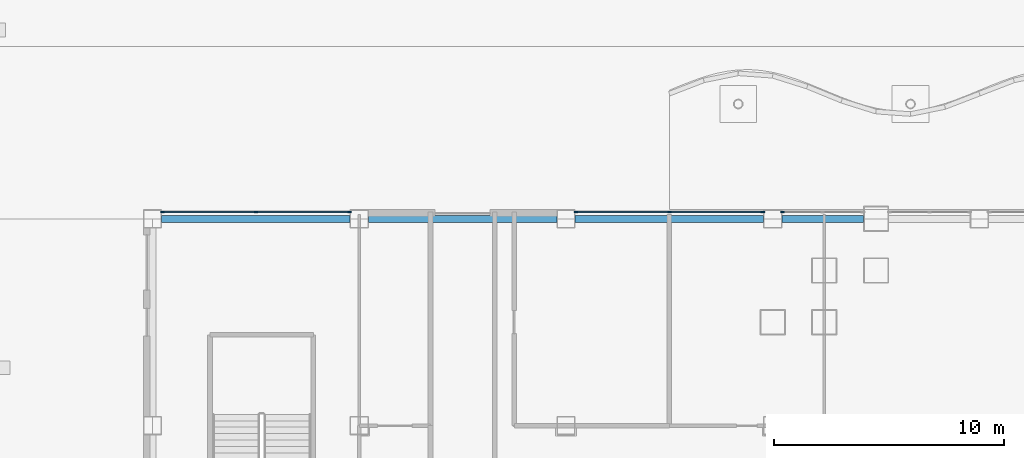
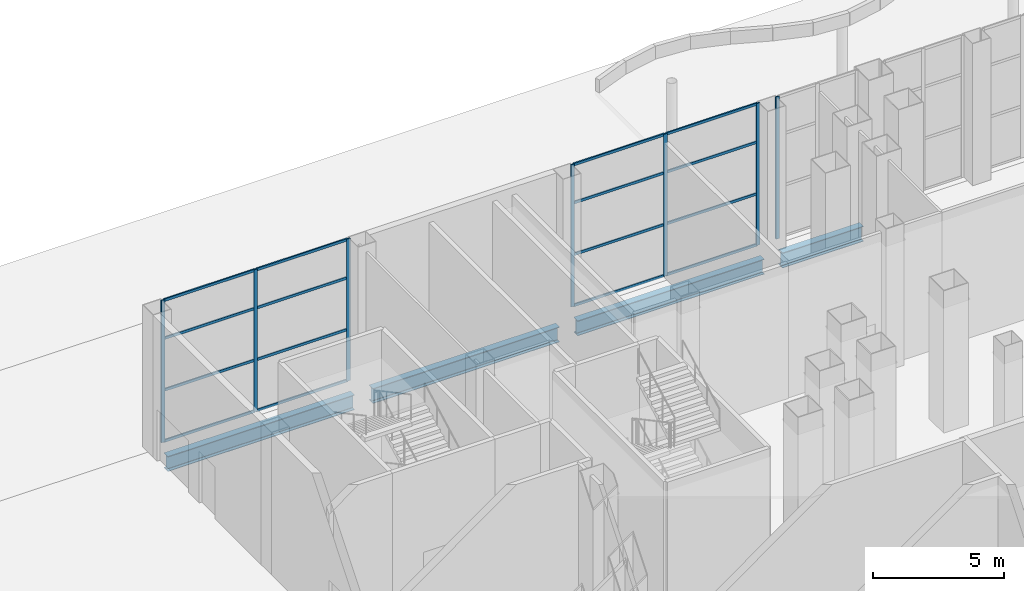
# One storey, part 8 of 38: 23 members, 4 beams, 3 elements without a shape of their own.
"""IFC4 building model written with IfcOpenShell, lengths in metres."""

from ifc_helpers import new_model, si_unit, direction, frame, origin, origin_2d, place, context, subcontext, project, spatial, rectangle, i_section, extrude, material, layer, layer_set, material_profile, profile_set, type_object, element, aggregate, save


model = new_model("IFC4")

# Units and contexts
model_context = context("Model", 3, precision=1e-05, world=origin(), true_north=direction((0.0, 1.0)))
body_context = subcontext(model_context, "Body", "Model", "MODEL_VIEW")
ifc_project = project(units=[si_unit("LENGTHUNIT", "METRE"), si_unit("AREAUNIT", "SQUARE_METRE"), si_unit("VOLUMEUNIT", "CUBIC_METRE"), si_unit("PLANEANGLEUNIT", "RADIAN"), si_unit("MASSUNIT", "GRAM", prefix="KILO")], contexts=[model_context])

# Site, building, storey
site_placement = place(None, origin())
site = spatial("IfcSite", under=ifc_project, at=site_placement, CompositionType="ELEMENT")
building_placement = place(site_placement, origin())
building = spatial("IfcBuilding", under=site, at=building_placement, Name="Caravel Reach Hotel and Residences", CompositionType="ELEMENT")
storey_placement = place(building_placement, origin())
storey = spatial("IfcBuildingStorey", under=building, at=storey_placement, Name="L00", CompositionType="ELEMENT", Elevation=0.0)

# Curtain wall, member
ifc_material_1 = material(Name="Dark low-e glazing in black aluminium frame", Category="aluminium")
ifc_layer = layer(ifc_material_1, 0.199951171875)
ifc_layer_set = layer_set([ifc_layer], Name="CW1 Podium storefront")
curtain_wall_type = type_object("IfcCurtainWallType", Name="CW1 Podium storefront", PredefinedType="NOTDEFINED", material=ifc_layer_set)
curtain_wall_1_placement = place(storey_placement, origin())
curtain_wall_1 = element("IfcCurtainWall", 1, at=curtain_wall_1_placement, inside=storey, type_object=curtain_wall_type, Name="Podium storefront b6", PredefinedType="NOTDEFINED")
ifc_material_2 = material(Name="Anodised aluminium alloy 6063-T5, black", Category="aluminium")
ifc_material_profile_1 = material_profile(ifc_material_2, rectangle(XDim=0.06005859375, YDim=0.159912109375, at=origin_2d()), Name="CW mullion 60 x 160")
ifc_profile_set_1 = profile_set([ifc_material_profile_1], Name="Anodised aluminium alloy 6063-T5, black")
member_type_1 = type_object("IfcMemberType", Name="CW mullion 60 x 160", PredefinedType="MULLION", material=ifc_profile_set_1)
member_1_placement = place(storey_placement, frame((22.929931640625, 54.300048828125, 0.0), z_axis=(0.0, 0.0, 1.0), x_axis=(0.0, -1.0, 0.0)))
member_1 = element("IfcMember", 2, at=member_1_placement, type_object=member_type_1, Name="CW1 mullion 3", PredefinedType="MULLION", context=body_context, shape_type="SweptSolid", body=[
    extrude(rectangle(XDim=0.06005859375, YDim=0.159912109375, at=origin_2d()), origin(), (0.0, 0.0, 1.0), 6.60009765625),
])
aggregate(curtain_wall_1, [member_1])

# Curtain wall, members
curtain_wall_2_placement = place(storey_placement, origin())
curtain_wall_2 = element("IfcCurtainWall", 3, at=curtain_wall_2_placement, inside=storey, type_object=curtain_wall_type, Name="Podium storefront b7", PredefinedType="NOTDEFINED")
member_2_placement = place(storey_placement, frame((22.070068359375, 54.300048828125, 0.0), z_axis=(0.0, 0.0, 1.0), x_axis=(0.0, -1.0, 0.0)))
member_2 = element("IfcMember", 4, at=member_2_placement, type_object=member_type_1, Name="CW1 mullion 1", PredefinedType="MULLION", context=body_context, shape_type="SweptSolid", body=[
    extrude(rectangle(XDim=0.06005859375, YDim=0.159912109375, at=origin_2d()), origin(), (0.0, 0.0, 1.0), 6.60009765625),
])
member_3_placement = place(storey_placement, frame((18.0, 54.300048828125, 0.0), z_axis=(0.0, 0.0, 1.0), x_axis=(0.0, -1.0, 0.0)))
member_3 = element("IfcMember", 5, at=member_3_placement, type_object=member_type_1, Name="CW1 mullion 2", PredefinedType="MULLION", context=body_context, shape_type="SweptSolid", body=[
    extrude(rectangle(XDim=0.06005859375, YDim=0.159912109375, at=origin_2d()), origin(), (0.0, 0.0, 1.0), 6.60009765625),
])
member_4_placement = place(storey_placement, frame((13.929931640625, 54.300048828125, 0.0), z_axis=(0.0, 0.0, 1.0), x_axis=(0.0, -1.0, 0.0)))
member_4 = element("IfcMember", 6, at=member_4_placement, type_object=member_type_1, Name="CW1 mullion 3", PredefinedType="MULLION", context=body_context, shape_type="SweptSolid", body=[
    extrude(rectangle(XDim=0.06005859375, YDim=0.159912109375, at=origin_2d()), origin(), (0.0, 0.0, 1.0), 6.60009765625),
])

curtain_wall_3_placement = place(storey_placement, origin())
curtain_wall_3 = element("IfcCurtainWall", 7, at=curtain_wall_3_placement, inside=storey, type_object=curtain_wall_type, Name="Podium storefront b9", PredefinedType="NOTDEFINED")
member_5_placement = place(storey_placement, frame((4.070068359375, 54.300048828125, 0.0), z_axis=(0.0, 0.0, 1.0), x_axis=(0.0, -1.0, 0.0)))
member_5 = element("IfcMember", 8, at=member_5_placement, type_object=member_type_1, Name="CW1 mullion 1", PredefinedType="MULLION", context=body_context, shape_type="SweptSolid", body=[
    extrude(rectangle(XDim=0.06005859375, YDim=0.159912109375, at=origin_2d()), origin(), (0.0, 0.0, 1.0), 6.60009765625),
])
member_6_placement = place(storey_placement, frame((0.0, 54.300048828125, 0.0), z_axis=(0.0, 0.0, 1.0), x_axis=(0.0, -1.0, 0.0)))
member_6 = element("IfcMember", 9, at=member_6_placement, type_object=member_type_1, Name="CW1 mullion 2", PredefinedType="MULLION", context=body_context, shape_type="SweptSolid", body=[
    extrude(rectangle(XDim=0.06005859375, YDim=0.159912109375, at=origin_2d()), origin(), (0.0, 0.0, 1.0), 6.60009765625),
])
member_7_placement = place(storey_placement, frame((-4.070068359375, 54.300048828125, 0.0), z_axis=(0.0, 0.0, 1.0), x_axis=(0.0, -1.0, 0.0)))
member_7 = element("IfcMember", 10, at=member_7_placement, type_object=member_type_1, Name="CW1 mullion 3", PredefinedType="MULLION", context=body_context, shape_type="SweptSolid", body=[
    extrude(rectangle(XDim=0.06005859375, YDim=0.159912109375, at=origin_2d()), origin(), (0.0, 0.0, 1.0), 6.60009765625),
])

# Member
ifc_material_3 = material(Name="Anodised aluminium alloy 6063-T5, black", Category="aluminium")
ifc_material_profile_2 = material_profile(ifc_material_3, rectangle(XDim=0.06005859375, YDim=0.1201171875, at=origin_2d()), Name="CW transom 60 x 120")
ifc_profile_set_2 = profile_set([ifc_material_profile_2], Name="Anodised aluminium alloy 6063-T5, black")
member_type_2 = type_object("IfcMemberType", Name="CW transom 60 x 120", PredefinedType="USERDEFINED", material=ifc_profile_set_2)
member_8_placement = place(storey_placement, frame((22.0400390625, 54.300048828125, 0.030029296875), z_axis=(-1.0, 0.0, 0.0), x_axis=(0.0, -1.0, 0.0)))
member_8 = element("IfcMember", 11, at=member_8_placement, type_object=member_type_2, Name="CW1 transom 1.1", ObjectType="TRANSOM", PredefinedType="USERDEFINED", context=body_context, shape_type="SweptSolid", body=[
    extrude(rectangle(XDim=0.06005859375, YDim=0.1201171875, at=origin_2d()), origin(), (0.0, 0.0, 1.0), 4.010009765625),
])

member_9_placement = place(storey_placement, frame((22.0400390625, 54.300048828125, 2.39990234375), z_axis=(-1.0, 0.0, 0.0), x_axis=(0.0, -1.0, 0.0)))
member_9 = element("IfcMember", 12, at=member_9_placement, type_object=member_type_2, Name="CW1 transom 1.2", ObjectType="TRANSOM", PredefinedType="USERDEFINED", context=body_context, shape_type="SweptSolid", body=[
    extrude(rectangle(XDim=0.06005859375, YDim=0.1201171875, at=origin_2d()), origin(), (0.0, 0.0, 1.0), 4.010009765625),
])

member_10_placement = place(storey_placement, frame((22.0400390625, 54.300048828125, 4.800048828125), z_axis=(-1.0, 0.0, 0.0), x_axis=(0.0, -1.0, 0.0)))
member_10 = element("IfcMember", 13, at=member_10_placement, type_object=member_type_2, Name="CW1 transom 1.3", ObjectType="TRANSOM", PredefinedType="USERDEFINED", context=body_context, shape_type="SweptSolid", body=[
    extrude(rectangle(XDim=0.06005859375, YDim=0.1201171875, at=origin_2d()), origin(), (0.0, 0.0, 1.0), 4.010009765625),
])

member_11_placement = place(storey_placement, frame((22.0400390625, 54.300048828125, 6.570068359375), z_axis=(-1.0, 0.0, 0.0), x_axis=(0.0, -1.0, 0.0)))
member_11 = element("IfcMember", 14, at=member_11_placement, type_object=member_type_2, Name="CW1 transom 1.4", ObjectType="TRANSOM", PredefinedType="USERDEFINED", context=body_context, shape_type="SweptSolid", body=[
    extrude(rectangle(XDim=0.06005859375, YDim=0.1201171875, at=origin_2d()), origin(), (0.0, 0.0, 1.0), 4.010009765625),
])

member_12_placement = place(storey_placement, frame((17.969970703125, 54.300048828125, 0.030029296875), z_axis=(-1.0, 0.0, 0.0), x_axis=(0.0, -1.0, 0.0)))
member_12 = element("IfcMember", 15, at=member_12_placement, type_object=member_type_2, Name="CW1 transom 2.1", ObjectType="TRANSOM", PredefinedType="USERDEFINED", context=body_context, shape_type="SweptSolid", body=[
    extrude(rectangle(XDim=0.06005859375, YDim=0.1201171875, at=origin_2d()), origin(), (0.0, 0.0, 1.0), 4.010009765625),
])

member_13_placement = place(storey_placement, frame((17.969970703125, 54.300048828125, 2.39990234375), z_axis=(-1.0, 0.0, 0.0), x_axis=(0.0, -1.0, 0.0)))
member_13 = element("IfcMember", 16, at=member_13_placement, type_object=member_type_2, Name="CW1 transom 2.2", ObjectType="TRANSOM", PredefinedType="USERDEFINED", context=body_context, shape_type="SweptSolid", body=[
    extrude(rectangle(XDim=0.06005859375, YDim=0.1201171875, at=origin_2d()), origin(), (0.0, 0.0, 1.0), 4.010009765625),
])

member_14_placement = place(storey_placement, frame((17.969970703125, 54.300048828125, 4.800048828125), z_axis=(-1.0, 0.0, 0.0), x_axis=(0.0, -1.0, 0.0)))
member_14 = element("IfcMember", 17, at=member_14_placement, type_object=member_type_2, Name="CW1 transom 2.3", ObjectType="TRANSOM", PredefinedType="USERDEFINED", context=body_context, shape_type="SweptSolid", body=[
    extrude(rectangle(XDim=0.06005859375, YDim=0.1201171875, at=origin_2d()), origin(), (0.0, 0.0, 1.0), 4.010009765625),
])

member_15_placement = place(storey_placement, frame((17.969970703125, 54.300048828125, 6.570068359375), z_axis=(-1.0, 0.0, 0.0), x_axis=(0.0, -1.0, 0.0)))
member_15 = element("IfcMember", 18, at=member_15_placement, type_object=member_type_2, Name="CW1 transom 2.4", ObjectType="TRANSOM", PredefinedType="USERDEFINED", context=body_context, shape_type="SweptSolid", body=[
    extrude(rectangle(XDim=0.06005859375, YDim=0.1201171875, at=origin_2d()), origin(), (0.0, 0.0, 1.0), 4.010009765625),
])

aggregate(curtain_wall_2, [member_2, member_3, member_4, member_8, member_9, member_10, member_11, member_12, member_13, member_14, member_15])

member_16_placement = place(storey_placement, frame((4.0400390625, 54.300048828125, 0.030029296875), z_axis=(-1.0, 0.0, 0.0), x_axis=(0.0, -1.0, 0.0)))
member_16 = element("IfcMember", 19, at=member_16_placement, type_object=member_type_2, Name="CW1 transom 1.1", ObjectType="TRANSOM", PredefinedType="USERDEFINED", context=body_context, shape_type="SweptSolid", body=[
    extrude(rectangle(XDim=0.06005859375, YDim=0.1201171875, at=origin_2d()), origin(), (0.0, 0.0, 1.0), 4.010009765625),
])

member_17_placement = place(storey_placement, frame((4.0400390625, 54.300048828125, 2.39990234375), z_axis=(-1.0, 0.0, 0.0), x_axis=(0.0, -1.0, 0.0)))
member_17 = element("IfcMember", 20, at=member_17_placement, type_object=member_type_2, Name="CW1 transom 1.2", ObjectType="TRANSOM", PredefinedType="USERDEFINED", context=body_context, shape_type="SweptSolid", body=[
    extrude(rectangle(XDim=0.06005859375, YDim=0.1201171875, at=origin_2d()), origin(), (0.0, 0.0, 1.0), 4.010009765625),
])

member_18_placement = place(storey_placement, frame((4.0400390625, 54.300048828125, 4.800048828125), z_axis=(-1.0, 0.0, 0.0), x_axis=(0.0, -1.0, 0.0)))
member_18 = element("IfcMember", 21, at=member_18_placement, type_object=member_type_2, Name="CW1 transom 1.3", ObjectType="TRANSOM", PredefinedType="USERDEFINED", context=body_context, shape_type="SweptSolid", body=[
    extrude(rectangle(XDim=0.06005859375, YDim=0.1201171875, at=origin_2d()), origin(), (0.0, 0.0, 1.0), 4.010009765625),
])

member_19_placement = place(storey_placement, frame((4.0400390625, 54.300048828125, 6.570068359375), z_axis=(-1.0, 0.0, 0.0), x_axis=(0.0, -1.0, 0.0)))
member_19 = element("IfcMember", 22, at=member_19_placement, type_object=member_type_2, Name="CW1 transom 1.4", ObjectType="TRANSOM", PredefinedType="USERDEFINED", context=body_context, shape_type="SweptSolid", body=[
    extrude(rectangle(XDim=0.06005859375, YDim=0.1201171875, at=origin_2d()), origin(), (0.0, 0.0, 1.0), 4.010009765625),
])

member_20_placement = place(storey_placement, frame((-0.030029296875, 54.300048828125, 0.030029296875), z_axis=(-1.0, 0.0, 0.0), x_axis=(0.0, -1.0, 0.0)))
member_20 = element("IfcMember", 23, at=member_20_placement, type_object=member_type_2, Name="CW1 transom 2.1", ObjectType="TRANSOM", PredefinedType="USERDEFINED", context=body_context, shape_type="SweptSolid", body=[
    extrude(rectangle(XDim=0.06005859375, YDim=0.1201171875, at=origin_2d()), origin(), (0.0, 0.0, 1.0), 4.010009765625),
])

member_21_placement = place(storey_placement, frame((-0.030029296875, 54.300048828125, 2.39990234375), z_axis=(-1.0, 0.0, 0.0), x_axis=(0.0, -1.0, 0.0)))
member_21 = element("IfcMember", 24, at=member_21_placement, type_object=member_type_2, Name="CW1 transom 2.2", ObjectType="TRANSOM", PredefinedType="USERDEFINED", context=body_context, shape_type="SweptSolid", body=[
    extrude(rectangle(XDim=0.06005859375, YDim=0.1201171875, at=origin_2d()), origin(), (0.0, 0.0, 1.0), 4.010009765625),
])

member_22_placement = place(storey_placement, frame((-0.030029296875, 54.300048828125, 4.800048828125), z_axis=(-1.0, 0.0, 0.0), x_axis=(0.0, -1.0, 0.0)))
member_22 = element("IfcMember", 25, at=member_22_placement, type_object=member_type_2, Name="CW1 transom 2.3", ObjectType="TRANSOM", PredefinedType="USERDEFINED", context=body_context, shape_type="SweptSolid", body=[
    extrude(rectangle(XDim=0.06005859375, YDim=0.1201171875, at=origin_2d()), origin(), (0.0, 0.0, 1.0), 4.010009765625),
])

member_23_placement = place(storey_placement, frame((-0.030029296875, 54.300048828125, 6.570068359375), z_axis=(-1.0, 0.0, 0.0), x_axis=(0.0, -1.0, 0.0)))
member_23 = element("IfcMember", 26, at=member_23_placement, type_object=member_type_2, Name="CW1 transom 2.4", ObjectType="TRANSOM", PredefinedType="USERDEFINED", context=body_context, shape_type="SweptSolid", body=[
    extrude(rectangle(XDim=0.06005859375, YDim=0.1201171875, at=origin_2d()), origin(), (0.0, 0.0, 1.0), 4.010009765625),
])

aggregate(curtain_wall_3, [member_5, member_6, member_7, member_16, member_17, member_18, member_19, member_20, member_21, member_22, member_23])

# Beams
ifc_material_4 = material(Name="Structural steel Q355B", Category="steel")
ifc_material_profile_3 = material_profile(ifc_material_4, i_section(OverallWidth=0.300048828125, OverallDepth=0.699951171875, WebThickness=0.012939453125, FlangeThickness=0.02392578125, FilletRadius=0.01806640625, at=origin_2d()), Name="HN 700x300x13x24")
ifc_profile_set_3 = profile_set([ifc_material_profile_3], Name="Structural steel Q355B")
beam_type = type_object("IfcBeamType", Name="Spandrel beam HN 700x300x13x24", PredefinedType="SPANDREL", material=ifc_profile_set_3)
beam_placement = place(storey_placement, frame((26.449951171875, 54.0, -0.75), z_axis=(-1.0, 0.0, 0.0), x_axis=(0.0, -1.0, 0.0)))
element("IfcBeam", 27, at=beam_placement, inside=storey, type_object=beam_type, Name="SP2 HN 700x300x13x24", PredefinedType="SPANDREL", context=body_context, shape_type="SweptSolid", body=[
    extrude(i_section(OverallWidth=0.300048828125, OverallDepth=0.699951171875, WebThickness=0.012939453125, FlangeThickness=0.02392578125, FilletRadius=0.01806640625, at=origin_2d()), origin(), (0.0, 0.0, 1.0), 3.550048828125),
])
for number, where, z_axis, x_axis, name in (
    (28, (22.10009765625, 54.0, -0.75), (-1.0, 0.0, 0.0), (0.0, -1.0, 0.0), "SP2 HN 700x300x13x24"),
    (29, (13.10009765625, 54.0, -0.75), (-1.0, 0.0, 0.0), (0.0, -1.0, 0.0), "SP2 HN 700x300x13x24"),
    (30, (4.10009765625, 54.0, -0.75), (-1.0, 0.0, 0.0), (0.0, -1.0, 0.0), "SP2 HN 700x300x13x24"),
):
    element("IfcBeam", number, at=place(storey_placement, frame(where, z_axis=z_axis, x_axis=x_axis)), inside=storey, type_object=beam_type, Name=name, PredefinedType="SPANDREL", context=body_context, shape_type="SweptSolid", body=[
        extrude(i_section(OverallWidth=0.300048828125, OverallDepth=0.699951171875, WebThickness=0.012939453125, FlangeThickness=0.02392578125, FilletRadius=0.01806640625, at=origin_2d()), origin(), (0.0, 0.0, 1.0), 8.2001953125),
    ])

save(model, "model.ifc")
